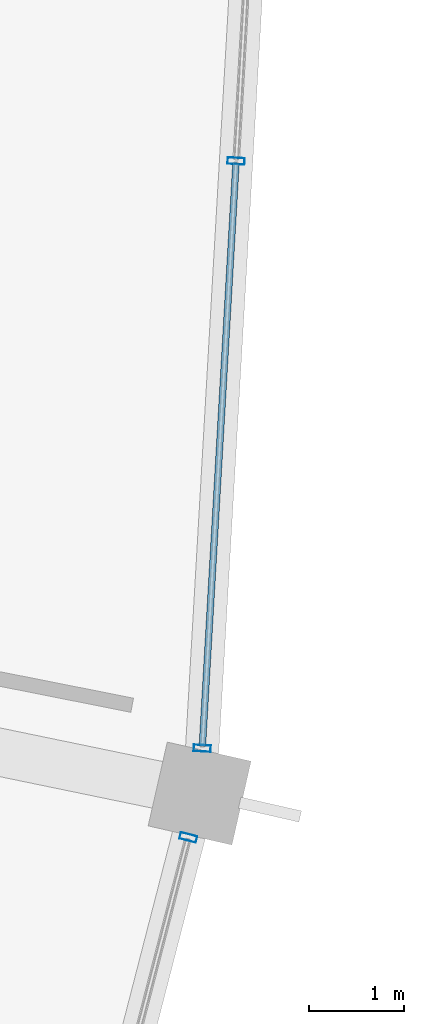
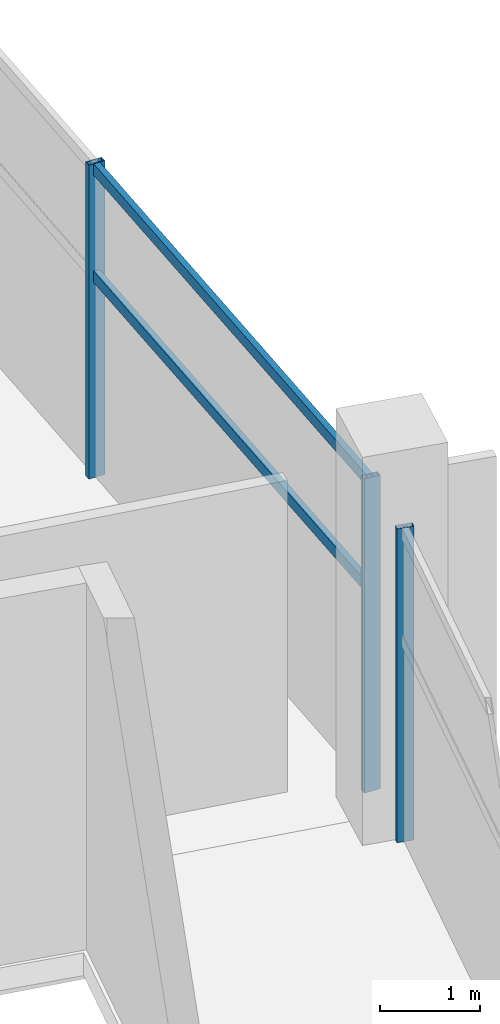
# One storey, part 60 of 156: 5 members, 2 elements without a shape of their own.
"""IFC4 building model written with IfcOpenShell, lengths in metres."""

from ifc_helpers import new_model, si_unit, direction, frame, origin, origin_2d, place, context, subcontext, project, spatial, hollow_rectangle, extrude, material, layer, layer_set, material_profile, profile_set, type_object, element, aggregate, save


model = new_model("IFC4")

# Units and contexts
model_context = context("Model", 3, precision=1e-05, world=origin(), true_north=direction((0.0, 1.0)))
body_context = subcontext(model_context, "Body", "Model", "MODEL_VIEW")
ifc_project = project(units=[si_unit("LENGTHUNIT", "METRE"), si_unit("AREAUNIT", "SQUARE_METRE"), si_unit("VOLUMEUNIT", "CUBIC_METRE"), si_unit("PLANEANGLEUNIT", "RADIAN"), si_unit("MASSUNIT", "GRAM", prefix="KILO")], contexts=[model_context])

# Site, building, storey
site_placement = place(None, origin())
site = spatial("IfcSite", under=ifc_project, at=site_placement, CompositionType="ELEMENT")
building_placement = place(site_placement, origin())
building = spatial("IfcBuilding", under=site, at=building_placement, Name="Kazemori Nagisa Stadium", CompositionType="ELEMENT")
storey_placement = place(building_placement, frame((0.0, 0.0, 5.780029296875)))
storey = spatial("IfcBuildingStorey", under=building, at=storey_placement, Name="L01", CompositionType="ELEMENT", Elevation=5.780029296875)

# Curtain wall, member
ifc_material_1 = material(Name="Anodised aluminium 6063-T5", Category="aluminium")
ifc_layer_1 = layer(ifc_material_1, 0.179931640625, Name="Anodised aluminium 6063-T5", Category="aluminium")
ifc_layer_set_1 = layer_set([ifc_layer_1], Name="Anodised aluminium 6063-T5")
curtain_wall_type_1 = type_object("IfcCurtainWallType", Name="CW_L01R3_96", PredefinedType="USERDEFINED", material=ifc_layer_set_1)
curtain_wall_1_placement = place(storey_placement, origin())
curtain_wall_1 = element("IfcCurtainWall", 1, at=curtain_wall_1_placement, inside=storey, type_object=curtain_wall_type_1, Name="Unitised curtain wall CW-L01R3-96 L01", ObjectType="UNITISED CURTAIN WALL", PredefinedType="USERDEFINED")
ifc_material_2 = material(Name="Aluminium 6063-T5 anodised", Category="aluminium")
ifc_material_profile_1 = material_profile(ifc_material_2, hollow_rectangle(XDim=0.070068359375, YDim=0.179931640625, WallThickness=0.00390625, at=origin_2d()), Name="ALU-MULL-70x180x4")
ifc_profile_set_1 = profile_set([ifc_material_profile_1], Name="Aluminium 6063-T5 anodised")
member_type_1 = type_object("IfcMemberType", Name="Mullion_M01", PredefinedType="MULLION", material=ifc_profile_set_1)
member_1_placement = place(storey_placement, frame((216.761962890625, 82.142333984375, 0.0), z_axis=(0.0, 0.0, 1.0), x_axis=(0.249964642418, 0.968254965152, 0.0)))
member_1 = element("IfcMember", 2, at=member_1_placement, type_object=member_type_1, Name="Curtain wall mullion CW-L01R3-96-M4", PredefinedType="MULLION", context=body_context, shape_type="SweptSolid", body=[
    extrude(hollow_rectangle(XDim=0.070068359375, YDim=0.179931640625, WallThickness=0.00390625, at=origin_2d()), origin(), (0.0, 0.0, 1.0), 3.849853515625),
])
aggregate(curtain_wall_1, [member_1])

# Curtain wall, members
ifc_layer_2 = layer(ifc_material_1, 0.179931640625, Name="Anodised aluminium 6063-T5", Category="aluminium")
ifc_layer_set_2 = layer_set([ifc_layer_2], Name="Anodised aluminium 6063-T5")
curtain_wall_type_2 = type_object("IfcCurtainWallType", Name="CW_L01R3_93", PredefinedType="USERDEFINED", material=ifc_layer_set_2)
curtain_wall_2_placement = place(storey_placement, origin())
curtain_wall_2 = element("IfcCurtainWall", 3, at=curtain_wall_2_placement, inside=storey, type_object=curtain_wall_type_2, Name="Unitised curtain wall CW-L01R3-93 L01", ObjectType="UNITISED CURTAIN WALL", PredefinedType="USERDEFINED")
member_2_placement = place(storey_placement, frame((216.908203125, 83.076416015625, 0.0), z_axis=(0.0, 0.0, 1.0), x_axis=(0.057601670941, 0.998339645364, 0.0)))
member_2 = element("IfcMember", 4, at=member_2_placement, type_object=member_type_1, Name="Curtain wall mullion CW-L01R3-93-M1", PredefinedType="MULLION", context=body_context, shape_type="SweptSolid", body=[
    extrude(hollow_rectangle(XDim=0.070068359375, YDim=0.179931640625, WallThickness=0.00390625, at=origin_2d()), origin(), (0.0, 0.0, 1.0), 3.849853515625),
])
member_3_placement = place(storey_placement, frame((217.262939453125, 89.226318359375, 0.0), z_axis=(0.0, 0.0, 1.0), x_axis=(0.057601670941, 0.998339645364, 0.0)))
member_3 = element("IfcMember", 5, at=member_3_placement, type_object=member_type_1, Name="Curtain wall mullion CW-L01R3-93-M2", PredefinedType="MULLION", context=body_context, shape_type="SweptSolid", body=[
    extrude(hollow_rectangle(XDim=0.070068359375, YDim=0.179931640625, WallThickness=0.00390625, at=origin_2d()), origin(), (0.0, 0.0, 1.0), 3.849853515625),
])
ifc_material_profile_2 = material_profile(ifc_material_2, hollow_rectangle(XDim=0.070068359375, YDim=0.139892578125, WallThickness=0.00390625, at=origin_2d()), Name="ALU-TRAN-70x140x4")
ifc_profile_set_2 = profile_set([ifc_material_profile_2], Name="Aluminium 6063-T5 anodised")
member_type_2 = type_object("IfcMemberType", Name="Transom_T01", PredefinedType="USERDEFINED", material=ifc_profile_set_2)
member_4_placement = place(storey_placement, frame((216.909423828125, 83.096435546875, 2.4638671875), z_axis=(0.057564421344, 0.998341793874, 0.0), x_axis=(-0.998341793874, 0.057564421344, 0.0)))
member_4 = element("IfcMember", 6, at=member_4_placement, type_object=member_type_2, Name="Curtain wall transom CW-L01R3-93-T1-mid", ObjectType="TRANSOM", PredefinedType="USERDEFINED", context=body_context, shape_type="SweptSolid", body=[
    extrude(hollow_rectangle(XDim=0.070068359375, YDim=0.139892578125, WallThickness=0.00390625, at=origin_2d()), origin(), (0.0, 0.0, 1.0), 6.1201171875),
])
member_5_placement = place(storey_placement, frame((216.909423828125, 83.096435546875, 3.780029296875), z_axis=(0.057564421344, 0.998341793874, 0.0), x_axis=(-0.998341793874, 0.057564421344, 0.0)))
member_5 = element("IfcMember", 7, at=member_5_placement, type_object=member_type_2, Name="Curtain wall transom CW-L01R3-93-T1-head", ObjectType="TRANSOM", PredefinedType="USERDEFINED", context=body_context, shape_type="SweptSolid", body=[
    extrude(hollow_rectangle(XDim=0.070068359375, YDim=0.139892578125, WallThickness=0.00390625, at=origin_2d()), origin(), (0.0, 0.0, 1.0), 6.1201171875),
])
aggregate(curtain_wall_2, [member_2, member_3, member_4, member_5])

save(model, "model.ifc")
